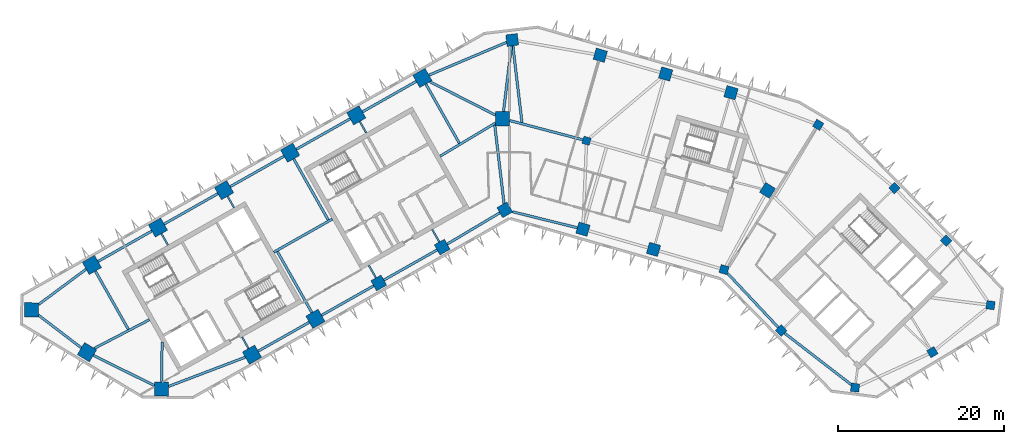
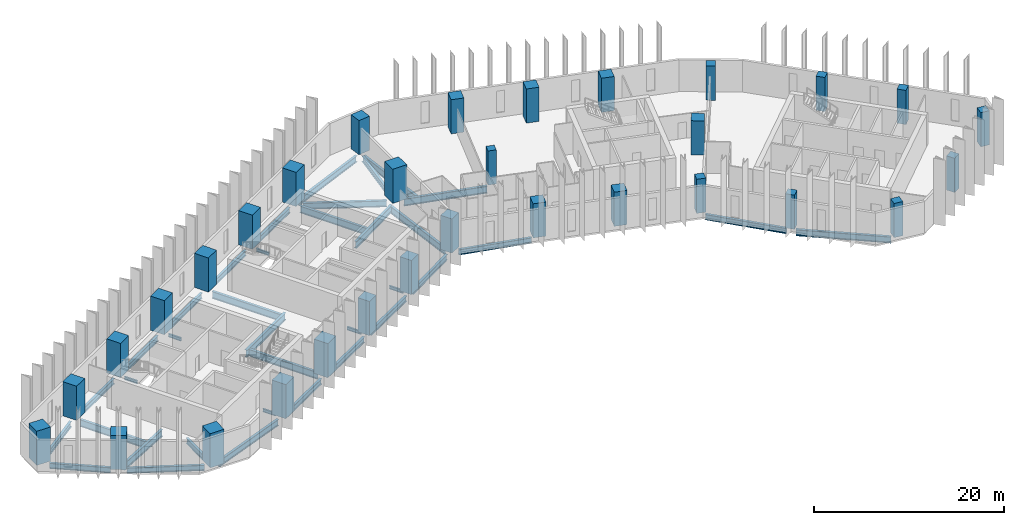
# One storey, part 1 of 11: 36 beams, 31 columns.
"""IFC4 building model written with IfcOpenShell, lengths in metres."""

import ifcopenshell
import ifcopenshell.guid

model = None  # the IFC model being written
_history = None  # IfcOwnerHistory: only IFC2X3 demands one
_inside = {}  # id of a spatial element -> (the spatial element, [elements in it])
_under = {}  # id of a project, library or spatial element -> (it, [spatial elements below it])
_declared = {}  # id of a project -> (the project, [libraries it declares])
_typed = {}  # id of a type object -> (the type object, [elements of that type])
_made_of = {}  # id of a material, layer set ... -> (it, [elements and type objects made of it])


def new_model(schema):
    """Start an empty IFC model of exactly this schema.

    Asked for "IFC4X3", IfcOpenShell would pick the latest addendum, in which some entities
    have other attributes; the version numbers below select the first issue.
    IFC2X3 requires an IfcOwnerHistory on every rooted entity: one is made here for all.
    """
    global model, _history
    if schema == "IFC4X3":
        model = ifcopenshell.file(schema_version=(4, 3, 0, 0))
    else:
        model = ifcopenshell.file(schema=schema)
    _inside.clear()
    _under.clear()
    _declared.clear()
    _typed.clear()
    _made_of.clear()
    _history = None
    if model.schema == "IFC2X3":
        org = make("IfcOrganization", Name="unknown")
        user = make(
            "IfcPersonAndOrganization",
            ThePerson=make("IfcPerson", FamilyName="unknown"),
            TheOrganization=org,
        )
        app = make(
            "IfcApplication",
            ApplicationDeveloper=org,
            Version="unknown",
            ApplicationFullName="unknown",
            ApplicationIdentifier="unknown",
        )
        _history = make(
            "IfcOwnerHistory",
            OwningUser=user,
            OwningApplication=app,
            ChangeAction="ADDED",
            CreationDate=0,
        )
    return model


def make(cls, **values):
    """One entity of the class cls with the attributes given. An attribute that is None is left unset."""
    return model.create_entity(
        cls, **{name: value for name, value in values.items() if value is not None}
    )


def rooted(cls, **values):
    """An entity with a GlobalId (a new one), such as an element, a storey or a relation."""
    return make(cls, GlobalId=ifcopenshell.guid.new(), OwnerHistory=_history, **values)


def si_unit(unit_type, name, prefix=None):
    """IfcSIUnit, for example si_unit("LENGTHUNIT", "METRE", prefix="MILLI")."""
    return make("IfcSIUnit", UnitType=unit_type, Prefix=prefix, Name=name)


def assignment(units):
    """IfcUnitAssignment: the units of a project."""
    return None if units is None else make("IfcUnitAssignment", Units=units)


def point(xyz):
    """IfcCartesianPoint."""
    return None if xyz is None else make("IfcCartesianPoint", Coordinates=xyz)


def direction(xyz):
    """IfcDirection."""
    return None if xyz is None else make("IfcDirection", DirectionRatios=xyz)


def frame(location, z_axis=None, x_axis=None):
    """IfcAxis2Placement3D, a coordinate frame: its origin and axes. An axis left out is left unset."""
    return make(
        "IfcAxis2Placement3D",
        Location=point(location),
        Axis=direction(z_axis),
        RefDirection=direction(x_axis),
    )


def frame_2d(location, x_axis=None):
    """IfcAxis2Placement2D, a coordinate frame in the plane: its origin and x axis."""
    return make(
        "IfcAxis2Placement2D", Location=point(location), RefDirection=direction(x_axis)
    )


def origin():
    """The frame at (0, 0, 0) with its axes left unset."""
    return frame((0.0, 0.0, 0.0))


def origin_2d():
    """The frame at (0, 0) in the plane with its x axis left unset."""
    return frame_2d((0.0, 0.0))


def place(relative_to, where):
    """IfcLocalPlacement: puts the frame where relative to a parent placement (None: the world)."""
    return make(
        "IfcLocalPlacement", PlacementRelTo=relative_to, RelativePlacement=where
    )


def context(
    kind, dimensions, precision=None, world=None, true_north=None, identifier=None
):
    """IfcGeometricRepresentationContext, for example the 3D "Model" context."""
    return make(
        "IfcGeometricRepresentationContext",
        ContextIdentifier=identifier,
        ContextType=kind,
        CoordinateSpaceDimension=dimensions,
        Precision=precision,
        WorldCoordinateSystem=world,
        TrueNorth=true_north,
    )


def subcontext(parent, identifier, kind, view, scale=None):
    """IfcGeometricRepresentationSubContext, for example "Body" below "Model"."""
    return make(
        "IfcGeometricRepresentationSubContext",
        ContextIdentifier=identifier,
        ContextType=kind,
        ParentContext=parent,
        TargetScale=scale,
        TargetView=view,
    )


def project(units=None, contexts=None):
    """IfcProject with its units and contexts."""
    return rooted(
        "IfcProject",
        Name="project",
        RepresentationContexts=contexts,
        UnitsInContext=assignment(units),
    )


def spatial(cls, under=None, at=None, **own):
    """A site, building, storey or space (cls), placed at a placement, below another one or the project."""
    s = rooted(cls, ObjectPlacement=at, **own)
    if under is not None:
        _under.setdefault(under.id(), (under, []))[1].append(s)
    return s


def profile(cls, at=None, kind="AREA", **sizes):
    """A parametric profile (cls). Its sizes go by their IFC names, for example OverallWidth=200.0."""
    return make(cls, ProfileType=kind, Position=at, **sizes)


def rectangle(**sizes):
    """IfcRectangleProfileDef."""
    return profile("IfcRectangleProfileDef", **sizes)


def i_section(**sizes):
    """IfcIShapeProfileDef."""
    return profile("IfcIShapeProfileDef", **sizes)


def extrude(swept, where, along, depth):
    """IfcExtrudedAreaSolid: the profile swept, set in the frame where, extruded along a direction by depth."""
    return make(
        "IfcExtrudedAreaSolid",
        SweptArea=swept,
        Position=where,
        ExtrudedDirection=direction(along),
        Depth=depth,
    )


def shape(context_of_items, identifier, shape_type, items):
    """IfcShapeRepresentation: the items that make up one representation, for example the "Body"."""
    return make(
        "IfcShapeRepresentation",
        ContextOfItems=context_of_items,
        RepresentationIdentifier=identifier,
        RepresentationType=shape_type,
        Items=items,
    )


def material(Name=None, Category=None):
    """IfcMaterial."""
    return make("IfcMaterial", Name=Name, Category=Category)


def material_profile(
    of_material, cross_section, Name=None, Category=None, Priority=None
):
    """IfcMaterialProfile: a cross section and its material."""
    return make(
        "IfcMaterialProfile",
        Name=Name,
        Material=of_material,
        Profile=cross_section,
        Priority=Priority,
        Category=Category,
    )


def profile_set(profiles, Name=None, composite=None):
    """IfcMaterialProfileSet."""
    return make(
        "IfcMaterialProfileSet",
        Name=Name,
        MaterialProfiles=profiles,
        CompositeProfile=composite,
    )


def made_of(thing, what):
    """Note that an element or type object is made of a material, layer set ...; save() writes the relation."""
    if what is not None:
        _made_of.setdefault(what.id(), (what, []))[1].append(thing)
    return thing


def type_object(cls, material=None, **own):
    """A type object (cls), such as IfcWallType, which elements share."""
    return made_of(rooted(cls, **own), material)


def element(
    cls,
    number,
    at=None,
    inside=None,
    cuts=None,
    type_object=None,
    material=None,
    context=None,
    identifier="Body",
    shape_type=None,
    held_by="IfcProductDefinitionShape",
    body=None,
    shapes=None,
    **own,
):
    """One element of the class cls, such as IfcWall. Its Tag is "e" and its number.

    at: its placement. inside: the storey or other place that contains it. cuts: it is an
    opening in that element (IfcRelVoidsElement). A single representation is given by context,
    identifier, shape_type and body (its items); several are given by shapes. held_by: the class
    of the entity that holds the representations. save() writes the other relations.
    """
    e = rooted(cls, Tag="e%d" % number, ObjectPlacement=at, **own)
    if body is not None:
        shapes = [shape(context, identifier, shape_type, body)]
    if shapes is not None:
        e.Representation = make(held_by, Representations=shapes)
    if inside is not None:
        _inside.setdefault(inside.id(), (inside, []))[1].append(e)
    if cuts is not None:
        rooted(
            "IfcRelVoidsElement", RelatingBuildingElement=cuts, RelatedOpeningElement=e
        )
    if type_object is not None:
        _typed.setdefault(type_object.id(), (type_object, []))[1].append(e)
    return made_of(e, material)


def aggregate(whole, parts):
    """IfcRelAggregates: a whole, such as a stair, and the parts it consists of."""
    return rooted("IfcRelAggregates", RelatingObject=whole, RelatedObjects=parts)


def save(model, path):
    """Write the relations noted so far, then the file.

    IfcRelAggregates (storeys below a building ...), IfcRelContainedInSpatialStructure (elements
    in a storey), IfcRelDefinesByType, IfcRelAssociatesMaterial and IfcRelDeclares: one each for
    every whole, place, type object, material and project.
    """
    for whole, parts in _under.values():
        aggregate(whole, parts)
    for where, things in _inside.values():
        rooted(
            "IfcRelContainedInSpatialStructure",
            RelatedElements=things,
            RelatingStructure=where,
        )
    for kind, things in _typed.values():
        rooted("IfcRelDefinesByType", RelatedObjects=things, RelatingType=kind)
    for what, things in _made_of.values():
        rooted("IfcRelAssociatesMaterial", RelatedObjects=things, RelatingMaterial=what)
    for by, libraries in _declared.values():
        rooted("IfcRelDeclares", RelatingContext=by, RelatedDefinitions=libraries)
    model.write(path)


model = new_model("IFC4")

# Units and contexts
model_context = context("Model", 3, precision=1e-05, world=origin(), true_north=direction((0.0, 1.0)))
body_context = subcontext(model_context, "Body", "Model", "MODEL_VIEW")
ifc_project = project(units=[si_unit("LENGTHUNIT", "METRE"), si_unit("AREAUNIT", "SQUARE_METRE"), si_unit("VOLUMEUNIT", "CUBIC_METRE"), si_unit("PLANEANGLEUNIT", "RADIAN"), si_unit("MASSUNIT", "GRAM", prefix="KILO")], contexts=[model_context])

# Site, building, storey
site_placement = place(None, origin())
site = spatial("IfcSite", under=ifc_project, at=site_placement, CompositionType="ELEMENT")
building_placement = place(site_placement, origin())
building = spatial("IfcBuilding", under=site, at=building_placement, Name="Binnacle Exchange Tower", CompositionType="ELEMENT")
storey_placement = place(building_placement, frame((0.0, 0.0, 114.699951171875)))
storey = spatial("IfcBuildingStorey", under=building, at=storey_placement, Name="L23", CompositionType="ELEMENT", Elevation=114.699951171875)

# Columns
ifc_material_1 = material(Name="Concrete C60/75", Category="concrete")
ifc_material_profile_1 = material_profile(ifc_material_1, rectangle(XDim=0.89990234375, YDim=0.89990234375, at=origin_2d()), Name="Column 900x900 C60/75")
ifc_profile_set_1 = profile_set([ifc_material_profile_1], Name="Concrete C60/75")
column_type_1 = type_object("IfcColumnType", Name="Column 900x900 C60/75", PredefinedType="COLUMN", material=ifc_profile_set_1)
column_placement = place(storey_placement, frame((9.240966796875, 57.35009765625, 0.0), z_axis=(0.0, 0.0, 1.0), x_axis=(0.961261695938, -0.275637355817, 0.0)))
element("IfcColumn", 1, at=column_placement, inside=storey, type_object=column_type_1, Name="S:COL:C19:L23", PredefinedType="COLUMN", context=body_context, shape_type="SweptSolid", body=[
    extrude(rectangle(XDim=0.89990234375, YDim=0.89990234375, at=origin_2d()), origin(), (0.0, 0.0, 1.0), 4.400146484375),
])
ifc_material_2 = material(Name="Concrete C70/85", Category="concrete")
ifc_material_profile_2 = material_profile(ifc_material_2, rectangle(XDim=1.0, YDim=1.0, at=origin_2d()), Name="Mega column 1000x1000 C70/85")
ifc_profile_set_2 = profile_set([ifc_material_profile_2], Name="Concrete C70/85")
column_type_2 = type_object("IfcColumnType", Name="Mega column 1000x1000 C70/85", PredefinedType="COLUMN", material=ifc_profile_set_2)
for number, where, z_axis, x_axis, name in (
    (2, (37.0849609375, 59.262451171875, 0.0), (0.0, 0.0, 1.0), (-0.859406411501, 0.511293086077, 0.0), "S:COL:MC57:L23"),
    (3, (25.766845703125, 41.85986328125, 0.0), (0.0, 0.0, 1.0), (0.961261695938, -0.275637355817, 0.0), "S:COL:MC56:L23"),
    (4, (32.64111328125, 34.530029296875, 0.0), (0.0, 0.0, 1.0), (0.7009092643, -0.713250449154, 0.0), "S:COL:MC59:L23"),
    (5, (41.519775390625, 27.6748046875, 0.0), (0.0, 0.0, 1.0), (0.99200494968, -0.126198969136, 0.0), "S:COL:MC61:L23"),
    (6, (50.81201171875, 31.930908203125, 0.0), (0.0, 0.0, 1.0), (0.857167300702, 0.51503807491, 0.0), "S:COL:MC63:L23"),
    (7, (57.799072265625, 37.5810546875, 0.0), (0.0, 0.0, 1.0), (0.126198969136, 0.99200494968, 0.0), "S:COL:MC62:L23"),
    (8, (52.466796875, 45.33935546875, 0.0), (0.0, 0.0, 1.0), (-0.7009092643, 0.713250449154, 0.0), "S:COL:MC60:L23"),
    (9, (46.248291015625, 51.667236328125, 0.0), (0.0, 0.0, 1.0), (-0.7009092643, 0.713250449154, 0.0), "S:COL:MC58:L23"),
):
    element("IfcColumn", number, at=place(storey_placement, frame(where, z_axis=z_axis, x_axis=x_axis)), inside=storey, type_object=column_type_2, Name=name, PredefinedType="COLUMN", context=body_context, shape_type="SweptSolid", body=[
        extrude(rectangle(XDim=1.0, YDim=1.0, at=origin_2d()), origin(), (0.0, 0.0, 1.0), 4.400146484375),
    ])
ifc_material_profile_3 = material_profile(ifc_material_2, rectangle(XDim=1.39990234375, YDim=1.39990234375, at=origin_2d()), Name="Mega column 1400x1400 C70/85")
ifc_profile_set_3 = profile_set([ifc_material_profile_3], Name="Concrete C70/85")
column_type_3 = type_object("IfcColumnType", Name="Mega column 1400x1400 C70/85", PredefinedType="COLUMN", material=ifc_profile_set_3)
for number, where, z_axis, x_axis, name in (
    (10, (26.602783203125, 63.12353515625, 0.0), (0.0, 0.0, 1.0), (-0.961261695938, 0.275637355817, 0.0), "S:COL:MC52:L23"),
    (11, (18.746337890625, 65.376220703125, 0.0), (0.0, 0.0, 1.0), (-0.961261695938, 0.275637355817, 0.0), "S:COL:MC50:L23"),
    (12, (10.889892578125, 67.62890625, 0.0), (0.0, 0.0, 1.0), (-0.961261695938, 0.275637355817, 0.0), "S:COL:MC48:L23"),
    (13, (0.300048828125, 69.464111328125, 0.0), (0.0, 0.0, 1.0), (-0.993068456955, -0.117537397458, 0.0), "S:COL:MC47:L23"),
    (14, (-15.736328125, 40.257080078125, 0.0), (0.0, 0.0, 1.0), (0.87035569594, 0.492423560103, 0.0), "S:COL:MC24:L23"),
    (15, (-8.116943359375, 44.568115234375, 0.0), (0.0, 0.0, 1.0), (0.87035569594, 0.492423560103, 0.0), "S:COL:MC35:L23"),
    (16, (-0.5908203125, 49.04443359375, 0.0), (0.0, 0.0, 1.0), (0.87035569594, 0.492423560103, 0.0), "S:COL:MC46:L23"),
    (17, (8.8095703125, 46.722412109375, 0.0), (0.0, 0.0, 1.0), (0.961261695938, -0.275637355817, 0.0), "S:COL:MC49:L23"),
    (18, (17.2880859375, 44.291015625, 0.0), (0.0, 0.0, 1.0), (0.961261695938, -0.275637355817, 0.0), "S:COL:MC51:L23"),
    (19, (30.989501953125, 51.38623046875, 0.0), (0.0, 0.0, 1.0), (0.529919264233, 0.848048096156, 0.0), "S:COL:MC55:L23"),
):
    element("IfcColumn", number, at=place(storey_placement, frame(where, z_axis=z_axis, x_axis=x_axis)), inside=storey, type_object=column_type_3, Name=name, PredefinedType="COLUMN", context=body_context, shape_type="SweptSolid", body=[
        extrude(rectangle(XDim=1.39990234375, YDim=1.39990234375, at=origin_2d()), origin(), (0.0, 0.0, 1.0), 4.400146484375),
    ])
ifc_material_profile_4 = material_profile(ifc_material_2, rectangle(XDim=1.699951171875, YDim=1.699951171875, at=origin_2d()), Name="Mega column 1700x1700 C70/85")
ifc_profile_set_4 = profile_set([ifc_material_profile_4], Name="Concrete C70/85")
column_type_4 = type_object("IfcColumnType", Name="Mega column 1700x1700 C70/85", PredefinedType="COLUMN", material=ifc_profile_set_4)
for number, where, z_axis, x_axis, name in (
    (20, (-10.4951171875, 64.901611328125, 0.0), (0.0, 0.0, 1.0), (-0.87035569594, -0.492423560103, 0.0), "S:COL:MC38:L23"),
    (21, (-18.44140625, 60.406005859375, 0.0), (0.0, 0.0, 1.0), (-0.87035569594, -0.492423560103, 0.0), "S:COL:MC29:L23"),
    (22, (-26.3876953125, 55.91015625, 0.0), (0.0, 0.0, 1.0), (-0.87035569594, -0.492423560103, 0.0), "S:COL:MC21:L23"),
    (23, (-34.333740234375, 51.414306640625, 0.0), (0.0, 0.0, 1.0), (-0.87035569594, -0.492423560103, 0.0), "S:COL:MC13:L23"),
    (24, (-42.280029296875, 46.918701171875, 0.0), (0.0, 0.0, 1.0), (-0.87035569594, -0.492423560103, 0.0), "S:COL:MC08:L23"),
    (25, (-50.226318359375, 42.4228515625, 0.0), (0.0, 0.0, 1.0), (-0.87035569594, -0.492423560103, 0.0), "S:COL:MC04:L23"),
    (26, (-57.492919921875, 37.02734375, 0.0), (0.0, 0.0, 1.0), (-0.013089595571, -0.999914327574, 0.0), "S:COL:MC02:L23"),
    (27, (-50.81201171875, 31.930908203125, 0.0), (0.0, 0.0, 1.0), (0.857167300702, -0.51503807491, 0.0), "S:COL:MC01:L23"),
    (28, (-41.857666015625, 27.494873046875, 0.0), (0.0, 0.0, 1.0), (0.999914327574, -0.013089595571, 0.0), "S:COL:MC03:L23"),
    (29, (-30.9755859375, 31.63525390625, 0.0), (0.0, 0.0, 1.0), (0.87035569594, 0.492423560103, 0.0), "S:COL:MC07:L23"),
    (30, (-23.35595703125, 35.9462890625, 0.0), (0.0, 0.0, 1.0), (0.87035569594, 0.492423560103, 0.0), "S:COL:MC16:L23"),
    (31, (-0.85009765625, 60.0, 0.0), (0.0, 0.0, 1.0), (0.0, 1.0, 0.0), "S:COL:MC45:L23"),
):
    element("IfcColumn", number, at=place(storey_placement, frame(where, z_axis=z_axis, x_axis=x_axis)), inside=storey, type_object=column_type_4, Name=name, PredefinedType="COLUMN", context=body_context, shape_type="SweptSolid", body=[
        extrude(rectangle(XDim=1.699951171875, YDim=1.699951171875, at=origin_2d()), origin(), (0.0, 0.0, 1.0), 4.400146484375),
    ])

# Beams
ifc_material_3 = material(Name="Steel S355 (SHN355)", Category="steel")
ifc_material_profile_5 = material_profile(ifc_material_3, i_section(OverallWidth=0.300048828125, OverallDepth=0.699951171875, WebThickness=0.012939453125, FlangeThickness=0.02392578125, FilletRadius=0.028076171875, at=origin_2d()), Name="H 700x300x13x24")
ifc_profile_set_5 = profile_set([ifc_material_profile_5], Name="Steel S355 (SHN355)")
beam_type_1 = type_object("IfcBeamType", Name="Edge girder H 700x300x13x24 Steel S355 (SHN355)", PredefinedType="SPANDREL", material=ifc_profile_set_5)
beam_1_placement = place(storey_placement, frame((-56.6513671875, 36.38525390625, -0.669921875), z_axis=(0.795093040263, -0.606487474994, 0.0), x_axis=(0.606487474994, 0.795093040263, 0.0)))
element("IfcBeam", 32, at=beam_1_placement, inside=storey, type_object=beam_type_1, Name="S:BM:edge:L23:015", PredefinedType="SPANDREL", context=body_context, shape_type="SweptSolid", body=[
    extrude(i_section(OverallWidth=0.300048828125, OverallDepth=0.699951171875, WebThickness=0.012939453125, FlangeThickness=0.02392578125, FilletRadius=0.028076171875, at=origin_2d()), origin(), (0.0, 0.0, 1.0), 6.489013671875),
])
beam_2_placement = place(storey_placement, frame((-50.913818359375, 41.912353515625, -0.669921875), z_axis=(-0.80288535334, -0.59613346609, 0.0), x_axis=(0.59613346609, -0.80288535334, 0.0)))
element("IfcBeam", 33, at=beam_2_placement, inside=storey, type_object=beam_type_1, Name="S:BM:edge:L23:016", PredefinedType="SPANDREL", context=body_context, shape_type="SweptSolid", body=[
    extrude(i_section(OverallWidth=0.300048828125, OverallDepth=0.699951171875, WebThickness=0.012939453125, FlangeThickness=0.02392578125, FilletRadius=0.028076171875, at=origin_2d()), origin(), (0.0, 0.0, 1.0), 7.125244140625),
])
beam_3_placement = place(storey_placement, frame((-43.019775390625, 46.5, -0.669921875), z_axis=(-0.870364477798, -0.492408037898, 0.0), x_axis=(0.492408037898, -0.870364477798, 0.0)))
element("IfcBeam", 34, at=beam_3_placement, inside=storey, type_object=beam_type_1, Name="S:BM:edge:L23:018", PredefinedType="SPANDREL", context=body_context, shape_type="SweptSolid", body=[
    extrude(i_section(OverallWidth=0.300048828125, OverallDepth=0.699951171875, WebThickness=0.012939453125, FlangeThickness=0.02392578125, FilletRadius=0.028076171875, at=origin_2d()), origin(), (0.0, 0.0, 1.0), 7.4296875),
])
beam_4_placement = place(storey_placement, frame((-35.073486328125, 50.995849609375, -0.669921875), z_axis=(-0.870372444894, -0.492393955253, 0.0), x_axis=(0.492393955253, -0.870372444894, 0.0)))
element("IfcBeam", 35, at=beam_4_placement, inside=storey, type_object=beam_type_1, Name="S:BM:edge:L23:020", PredefinedType="SPANDREL", context=body_context, shape_type="SweptSolid", body=[
    extrude(i_section(OverallWidth=0.300048828125, OverallDepth=0.699951171875, WebThickness=0.012939453125, FlangeThickness=0.02392578125, FilletRadius=0.028076171875, at=origin_2d()), origin(), (0.0, 0.0, 1.0), 7.429931640625),
])
beam_5_placement = place(storey_placement, frame((-30.23583984375, 32.053955078125, -0.669921875), z_axis=(0.870373276953, 0.492392484473, 0.0), x_axis=(-0.492392484473, 0.870373276953, 0.0)))
element("IfcBeam", 36, at=beam_5_placement, inside=storey, type_object=beam_type_1, Name="S:BM:edge:L23:021", PredefinedType="SPANDREL", context=body_context, shape_type="SweptSolid", body=[
    extrude(i_section(OverallWidth=0.300048828125, OverallDepth=0.699951171875, WebThickness=0.012939453125, FlangeThickness=0.02392578125, FilletRadius=0.028076171875, at=origin_2d()), origin(), (0.0, 0.0, 1.0), 7.0546875),
])
beam_6_placement = place(storey_placement, frame((-27.12744140625, 55.49169921875, -0.669921875), z_axis=(-0.870350394687, -0.492432929919, 0.0), x_axis=(0.492432929919, -0.870350394687, 0.0)))
element("IfcBeam", 37, at=beam_6_placement, inside=storey, type_object=beam_type_1, Name="S:BM:edge:L23:022", PredefinedType="SPANDREL", context=body_context, shape_type="SweptSolid", body=[
    extrude(i_section(OverallWidth=0.300048828125, OverallDepth=0.699951171875, WebThickness=0.012939453125, FlangeThickness=0.02392578125, FilletRadius=0.028076171875, at=origin_2d()), origin(), (0.0, 0.0, 1.0), 7.429931640625),
])
beam_7_placement = place(storey_placement, frame((-22.6162109375, 36.36474609375, -0.669921875), z_axis=(0.870345646157, 0.492441322612, 0.0), x_axis=(-0.492441322612, 0.870345646157, 0.0)))
element("IfcBeam", 38, at=beam_7_placement, inside=storey, type_object=beam_type_1, Name="S:BM:edge:L23:023", PredefinedType="SPANDREL", context=body_context, shape_type="SweptSolid", body=[
    extrude(i_section(OverallWidth=0.300048828125, OverallDepth=0.699951171875, WebThickness=0.012939453125, FlangeThickness=0.02392578125, FilletRadius=0.028076171875, at=origin_2d()), origin(), (0.0, 0.0, 1.0), 7.20458984375),
])
beam_8_placement = place(storey_placement, frame((-19.18115234375, 59.9873046875, -0.669921875), z_axis=(-0.870364477798, -0.492408037898, 0.0), x_axis=(0.492408037898, -0.870364477798, 0.0)))
element("IfcBeam", 39, at=beam_8_placement, inside=storey, type_object=beam_type_1, Name="S:BM:edge:L23:024", PredefinedType="SPANDREL", context=body_context, shape_type="SweptSolid", body=[
    extrude(i_section(OverallWidth=0.300048828125, OverallDepth=0.699951171875, WebThickness=0.012939453125, FlangeThickness=0.02392578125, FilletRadius=0.028076171875, at=origin_2d()), origin(), (0.0, 0.0, 1.0), 7.4296875),
])
beam_9_placement = place(storey_placement, frame((-15.127197265625, 40.601806640625, -0.669921875), z_axis=(0.870355645737, 0.492423648837, 0.0), x_axis=(-0.492423648837, 0.870355645737, 0.0)))
element("IfcBeam", 40, at=beam_9_placement, inside=storey, type_object=beam_type_1, Name="S:BM:edge:L23:025", PredefinedType="SPANDREL", context=body_context, shape_type="SweptSolid", body=[
    extrude(i_section(OverallWidth=0.300048828125, OverallDepth=0.699951171875, WebThickness=0.012939453125, FlangeThickness=0.02392578125, FilletRadius=0.028076171875, at=origin_2d()), origin(), (0.0, 0.0, 1.0), 7.3544921875),
])
beam_10_placement = place(storey_placement, frame((-11.23486328125, 64.483154296875, -0.669921875), z_axis=(-0.870364477798, -0.492408037898, 0.0), x_axis=(0.492408037898, -0.870364477798, 0.0)))
element("IfcBeam", 41, at=beam_10_placement, inside=storey, type_object=beam_type_1, Name="S:BM:edge:L23:026", PredefinedType="SPANDREL", context=body_context, shape_type="SweptSolid", body=[
    extrude(i_section(OverallWidth=0.300048828125, OverallDepth=0.699951171875, WebThickness=0.012939453125, FlangeThickness=0.02392578125, FilletRadius=0.028076171875, at=origin_2d()), origin(), (0.0, 0.0, 1.0), 7.4296875),
])
beam_11_placement = place(storey_placement, frame((-7.51513671875, 44.926025390625, -0.669921875), z_axis=(0.859466137143, 0.511192682952, 0.0), x_axis=(-0.511192682952, 0.859466137143, 0.0)))
element("IfcBeam", 42, at=beam_11_placement, inside=storey, type_object=beam_type_1, Name="S:BM:edge:L23:027", PredefinedType="SPANDREL", context=body_context, shape_type="SweptSolid", body=[
    extrude(i_section(OverallWidth=0.300048828125, OverallDepth=0.699951171875, WebThickness=0.012939453125, FlangeThickness=0.02392578125, FilletRadius=0.028076171875, at=origin_2d()), origin(), (0.0, 0.0, 1.0), 7.356201171875),
])
beam_12_placement = place(storey_placement, frame((0.343994140625, 48.8134765625, -0.669921875), z_axis=(0.970820959584, -0.239805472064, 0.0), x_axis=(0.239805472064, 0.970820959584, 0.0)))
element("IfcBeam", 43, at=beam_12_placement, inside=storey, type_object=beam_type_1, Name="S:BM:edge:L23:029", PredefinedType="SPANDREL", context=body_context, shape_type="SweptSolid", body=[
    extrude(i_section(OverallWidth=0.300048828125, OverallDepth=0.699951171875, WebThickness=0.012939453125, FlangeThickness=0.02392578125, FilletRadius=0.028076171875, at=origin_2d()), origin(), (0.0, 0.0, 1.0), 8.019287109375),
])
ifc_material_profile_6 = material_profile(ifc_material_3, i_section(OverallWidth=0.302001953125, OverallDepth=0.7080078125, WebThickness=0.014892578125, FlangeThickness=0.028076171875, FilletRadius=0.028076171875, at=origin_2d()), Name="H 708x302x15x28")
ifc_profile_set_6 = profile_set([ifc_material_profile_6], Name="Steel S355 (SHN355)")
beam_type_2 = type_object("IfcBeamType", Name="Edge girder H 708x302x15x28 Steel S355 (SHN355)", PredefinedType="SPANDREL", material=ifc_profile_set_6)
beam_13_placement = place(storey_placement, frame((-50.0478515625, 31.55224609375, -0.674072265625), z_axis=(0.896059216286, -0.443934545749, 0.0), x_axis=(0.443934545749, 0.896059216286, 0.0)))
element("IfcBeam", 44, at=beam_13_placement, inside=storey, type_object=beam_type_2, Name="S:BM:edge:L23:017", PredefinedType="SPANDREL", context=body_context, shape_type="SweptSolid", body=[
    extrude(i_section(OverallWidth=0.302001953125, OverallDepth=0.7080078125, WebThickness=0.014892578125, FlangeThickness=0.028076171875, FilletRadius=0.028076171875, at=origin_2d()), origin(), (0.0, 0.0, 1.0), 8.197509765625),
])
beam_14_placement = place(storey_placement, frame((26.165283203125, 41.43505859375, -0.674072265625), z_axis=(0.684076068391, -0.729410674898, 0.0), x_axis=(0.729410674898, 0.684076068391, 0.0)))
element("IfcBeam", 45, at=beam_14_placement, inside=storey, type_object=beam_type_2, Name="S:BM:edge:L23:035", PredefinedType="SPANDREL", context=body_context, shape_type="SweptSolid", body=[
    extrude(i_section(OverallWidth=0.302001953125, OverallDepth=0.7080078125, WebThickness=0.014892578125, FlangeThickness=0.028076171875, FilletRadius=0.028076171875, at=origin_2d()), origin(), (0.0, 0.0, 1.0), 8.966552734375),
])
ifc_material_profile_7 = material_profile(ifc_material_3, i_section(OverallWidth=0.302001953125, OverallDepth=0.80810546875, WebThickness=0.01611328125, FlangeThickness=0.030029296875, FilletRadius=0.028076171875, at=origin_2d()), Name="H 808x302x16x30")
ifc_profile_set_7 = profile_set([ifc_material_profile_7], Name="Steel S355 (SHN355)")
beam_type_3 = type_object("IfcBeamType", Name="Edge girder H 808x302x16x30 Steel S355 (SHN355)", PredefinedType="SPANDREL", material=ifc_profile_set_7)
beam_15_placement = place(storey_placement, frame((-41.00341796875, 27.81982421875, -0.723876953125), z_axis=(0.934628738252, 0.355624973297, 0.0), x_axis=(-0.355624973297, 0.934628738252, 0.0)))
element("IfcBeam", 46, at=beam_15_placement, inside=storey, type_object=beam_type_3, Name="S:BM:edge:L23:019", PredefinedType="SPANDREL", context=body_context, shape_type="SweptSolid", body=[
    extrude(i_section(OverallWidth=0.302001953125, OverallDepth=0.80810546875, WebThickness=0.01611328125, FlangeThickness=0.030029296875, FilletRadius=0.028076171875, at=origin_2d()), origin(), (0.0, 0.0, 1.0), 9.869384765625),
])
beam_16_placement = place(storey_placement, frame((-0.37109375, 69.180419921875, -0.723876953125), z_axis=(-0.921114465748, -0.389291845523, 0.0), x_axis=(0.389291845523, -0.921114465748, 0.0)))
element("IfcBeam", 47, at=beam_16_placement, inside=storey, type_object=beam_type_3, Name="S:BM:edge:L23:028", PredefinedType="SPANDREL", context=body_context, shape_type="SweptSolid", body=[
    extrude(i_section(OverallWidth=0.302001953125, OverallDepth=0.80810546875, WebThickness=0.01611328125, FlangeThickness=0.030029296875, FilletRadius=0.028076171875, at=origin_2d()), origin(), (0.0, 0.0, 1.0), 10.13525390625),
])
beam_17_placement = place(storey_placement, frame((33.040771484375, 34.2216796875, -0.723876953125), z_axis=(0.791519159984, -0.611144352324, 0.0), x_axis=(0.611144352324, 0.791519159984, 0.0)))
element("IfcBeam", 48, at=beam_17_placement, inside=storey, type_object=beam_type_3, Name="S:BM:edge:L23:036", PredefinedType="SPANDREL", context=body_context, shape_type="SweptSolid", body=[
    extrude(i_section(OverallWidth=0.302001953125, OverallDepth=0.80810546875, WebThickness=0.01611328125, FlangeThickness=0.030029296875, FilletRadius=0.028076171875, at=origin_2d()), origin(), (0.0, 0.0, 1.0), 10.13232421875),
])
ifc_material_profile_8 = material_profile(ifc_material_3, i_section(OverallWidth=0.199951171875, OverallDepth=0.39990234375, WebThickness=0.008056640625, FlangeThickness=0.012939453125, FilletRadius=0.01611328125, at=origin_2d()), Name="H 400x200x8x13")
ifc_profile_set_8 = profile_set([ifc_material_profile_8], Name="Steel S355 (SHN355)")
beam_type_4 = type_object("IfcBeamType", Name="Floor beam H 400x200x8x13 Steel S355 (SHN355)", PredefinedType="BEAM", material=ifc_profile_set_8)
beam_18_placement = place(storey_placement, frame((-41.861328125, 46.178955078125, -0.52001953125), z_axis=(0.492366981934, -0.870387703901, 0.0), x_axis=(0.870387703901, 0.492366981934, 0.0)))
element("IfcBeam", 49, at=beam_18_placement, inside=storey, type_object=beam_type_4, Name="S:BM:cross:L23:044", PredefinedType="BEAM", context=body_context, shape_type="SweptSolid", body=[
    extrude(i_section(OverallWidth=0.199951171875, OverallDepth=0.39990234375, WebThickness=0.008056640625, FlangeThickness=0.012939453125, FilletRadius=0.01611328125, at=origin_2d()), origin(), (0.0, 0.0, 1.0), 1.584228515625),
])
beam_19_placement = place(storey_placement, frame((-33.915283203125, 50.674560546875, -0.52001953125), z_axis=(0.492483715062, -0.870321659158, 0.0), x_axis=(0.870321659158, 0.492483715062, 0.0)))
element("IfcBeam", 50, at=beam_19_placement, inside=storey, type_object=beam_type_4, Name="S:BM:cross:L23:046", PredefinedType="BEAM", context=body_context, shape_type="SweptSolid", body=[
    extrude(i_section(OverallWidth=0.199951171875, OverallDepth=0.39990234375, WebThickness=0.008056640625, FlangeThickness=0.012939453125, FilletRadius=0.01611328125, at=origin_2d()), origin(), (0.0, 0.0, 1.0), 1.58447265625),
])
for number, where, z_axis, x_axis, name in (
    (51, (-31.394287109375, 32.375, -0.52001953125), (-0.492366981934, 0.870387703901, 0.0), (-0.870387703901, -0.492366981934, 0.0), "S:BM:cross:L23:047"),
    (52, (-18.022705078125, 59.666259765625, -0.52001953125), (0.492366981934, -0.870387703901, 0.0), (0.870387703901, 0.492366981934, 0.0), "S:BM:cross:L23:050"),
):
    element("IfcBeam", number, at=place(storey_placement, frame(where, z_axis=z_axis, x_axis=x_axis)), inside=storey, type_object=beam_type_4, Name=name, PredefinedType="BEAM", context=body_context, shape_type="SweptSolid", body=[
        extrude(i_section(OverallWidth=0.199951171875, OverallDepth=0.39990234375, WebThickness=0.008056640625, FlangeThickness=0.012939453125, FilletRadius=0.01611328125, at=origin_2d()), origin(), (0.0, 0.0, 1.0), 1.584228515625),
    ])
for number, where, z_axis, x_axis, name in (
    (53, (-16.0810546875, 40.866455078125, -0.52001953125), (-0.492405102951, 0.870366138236, 0.0), (-0.870366138236, -0.492405102951, 0.0), "S:BM:cross:L23:051"),
    (54, (-8.461669921875, 45.17724609375, -0.52001953125), (-0.492405102951, 0.870366138236, 0.0), (-0.870366138236, -0.492405102951, 0.0), "S:BM:cross:L23:053"),
):
    element("IfcBeam", number, at=place(storey_placement, frame(where, z_axis=z_axis, x_axis=x_axis)), inside=storey, type_object=beam_type_4, Name=name, PredefinedType="BEAM", context=body_context, shape_type="SweptSolid", body=[
        extrude(i_section(OverallWidth=0.199951171875, OverallDepth=0.39990234375, WebThickness=0.008056640625, FlangeThickness=0.012939453125, FilletRadius=0.01611328125, at=origin_2d()), origin(), (0.0, 0.0, 1.0), 1.734375),
    ])
ifc_material_profile_9 = material_profile(ifc_material_3, i_section(OverallWidth=0.300048828125, OverallDepth=0.699951171875, WebThickness=0.012939453125, FlangeThickness=0.02392578125, FilletRadius=0.028076171875, at=origin_2d()), Name="H 700x300x13x24")
ifc_profile_set_9 = profile_set([ifc_material_profile_9], Name="Steel S355 (SHN355)")
beam_type_5 = type_object("IfcBeamType", Name="Floor beam H 700x300x13x24 Steel S355 (SHN355)", PredefinedType="BEAM", material=ifc_profile_set_9)
beam_20_placement = place(storey_placement, frame((-41.8466796875, 28.3447265625, -0.669921875), z_axis=(0.013120628196, 0.999913920853, 0.0), x_axis=(-0.999913920853, 0.013120628196, 0.0)))
element("IfcBeam", 55, at=beam_20_placement, inside=storey, type_object=beam_type_5, Name="S:BM:cross:L23:045", PredefinedType="BEAM", context=body_context, shape_type="SweptSolid", body=[
    extrude(i_section(OverallWidth=0.300048828125, OverallDepth=0.699951171875, WebThickness=0.012939453125, FlangeThickness=0.02392578125, FilletRadius=0.028076171875, at=origin_2d()), origin(), (0.0, 0.0, 1.0), 4.80078125),
])
ifc_material_profile_10 = material_profile(ifc_material_3, i_section(OverallWidth=0.300048828125, OverallDepth=0.89990234375, WebThickness=0.01611328125, FlangeThickness=0.028076171875, FilletRadius=0.028076171875, at=origin_2d()), Name="H 900x300x16x28")
ifc_profile_set_10 = profile_set([ifc_material_profile_10], Name="Steel S355 (SHN355)")
beam_type_6 = type_object("IfcBeamType", Name="Floor beam H 900x300x16x28 Steel S355 (SHN355)", PredefinedType="BEAM", material=ifc_profile_set_10)
beam_21_placement = place(storey_placement, frame((-49.8076171875, 41.68310546875, -0.77001953125), z_axis=(0.492423370769, -0.87035580306, 0.0), x_axis=(0.87035580306, 0.492423370769, 0.0)))
element("IfcBeam", 56, at=beam_21_placement, inside=storey, type_object=beam_type_6, Name="S:BM:cross:L23:043", PredefinedType="BEAM", context=body_context, shape_type="SweptSolid", body=[
    extrude(i_section(OverallWidth=0.300048828125, OverallDepth=0.89990234375, WebThickness=0.01611328125, FlangeThickness=0.028076171875, FilletRadius=0.028076171875, at=origin_2d()), origin(), (0.0, 0.0, 1.0), 8.041259765625),
])
beam_22_placement = place(storey_placement, frame((-10.076416015625, 64.161865234375, -0.77001953125), z_axis=(0.492410737926, -0.870362950254, 0.0), x_axis=(0.870362950254, 0.492410737926, 0.0)))
element("IfcBeam", 57, at=beam_22_placement, inside=storey, type_object=beam_type_6, Name="S:BM:cross:L23:052", PredefinedType="BEAM", context=body_context, shape_type="SweptSolid", body=[
    extrude(i_section(OverallWidth=0.300048828125, OverallDepth=0.89990234375, WebThickness=0.01611328125, FlangeThickness=0.028076171875, FilletRadius=0.028076171875, at=origin_2d()), origin(), (0.0, 0.0, 1.0), 8.16943359375),
])
ifc_material_profile_11 = material_profile(ifc_material_3, i_section(OverallWidth=0.302001953125, OverallDepth=0.912109375, WebThickness=0.01806640625, FlangeThickness=0.033935546875, FilletRadius=0.028076171875, at=origin_2d()), Name="H 912x302x18x34")
ifc_profile_set_11 = profile_set([ifc_material_profile_11], Name="Steel S355 (SHN355)")
beam_type_7 = type_object("IfcBeamType", Name="Floor beam H 912x302x18x34 Steel S355 (SHN355)", PredefinedType="BEAM", material=ifc_profile_set_11)
for number, where, z_axis, x_axis, name in (
    (58, (-25.968994140625, 55.17041015625, -0.77587890625), (0.492409177884, -0.870363832851, 0.0), (0.870363832851, 0.492409177884, 0.0), "S:BM:cross:L23:048"),
    (59, (-23.774658203125, 36.68603515625, -0.77587890625), (-0.492409177884, 0.870363832851, 0.0), (-0.870363832851, -0.492409177884, 0.0), "S:BM:cross:L23:049"),
):
    element("IfcBeam", number, at=place(storey_placement, frame(where, z_axis=z_axis, x_axis=x_axis)), inside=storey, type_object=beam_type_7, Name=name, PredefinedType="BEAM", context=body_context, shape_type="SweptSolid", body=[
        extrude(i_section(OverallWidth=0.302001953125, OverallDepth=0.912109375, WebThickness=0.01806640625, FlangeThickness=0.033935546875, FilletRadius=0.028076171875, at=origin_2d()), origin(), (0.0, 0.0, 1.0), 8.43408203125),
    ])
ifc_material_profile_12 = material_profile(ifc_material_3, i_section(OverallWidth=0.302978515625, OverallDepth=0.91796875, WebThickness=0.01904296875, FlangeThickness=0.037109375, FilletRadius=0.028076171875, at=origin_2d()), Name="H 918x303x19x37")
ifc_profile_set_12 = profile_set([ifc_material_profile_12], Name="Steel S355 (SHN355)")
beam_type_8 = type_object("IfcBeamType", Name="Floor beam H 918x303x19x37 Steel S355 (SHN355)", PredefinedType="BEAM", material=ifc_profile_set_12)
beam_23_placement = place(storey_placement, frame((-0.68017578125, 49.79833984375, -0.779052734375), z_axis=(-0.11752294526, 0.993070167379, 0.0), x_axis=(-0.993070167379, -0.11752294526, 0.0)))
element("IfcBeam", 60, at=beam_23_placement, inside=storey, type_object=beam_type_8, Name="S:BM:cross:L23:054", PredefinedType="BEAM", context=body_context, shape_type="SweptSolid", body=[
    extrude(i_section(OverallWidth=0.302978515625, OverallDepth=0.91796875, WebThickness=0.01904296875, FlangeThickness=0.037109375, FilletRadius=0.028076171875, at=origin_2d()), origin(), (0.0, 0.0, 1.0), 9.537353515625),
])
beam_24_placement = place(storey_placement, frame((0.38232421875, 68.76904296875, -0.779052734375), z_axis=(0.117557103339, -0.993066124412, 0.0), x_axis=(0.993066124412, 0.117557103339, 0.0)))
element("IfcBeam", 61, at=beam_24_placement, inside=storey, type_object=beam_type_8, Name="S:BM:cross:L23:055", PredefinedType="BEAM", context=body_context, shape_type="SweptSolid", body=[
    extrude(i_section(OverallWidth=0.302978515625, OverallDepth=0.91796875, WebThickness=0.01904296875, FlangeThickness=0.037109375, FilletRadius=0.028076171875, at=origin_2d()), origin(), (0.0, 0.0, 1.0), 9.2998046875),
])
ifc_material_profile_13 = material_profile(ifc_material_3, i_section(OverallWidth=0.302001953125, OverallDepth=0.7080078125, WebThickness=0.014892578125, FlangeThickness=0.028076171875, FilletRadius=0.028076171875, at=origin_2d()), Name="H 708x302x15x28")
ifc_profile_set_13 = profile_set([ifc_material_profile_13], Name="Steel S355 (SHN355)")
beam_type_9 = type_object("IfcBeamType", Name="Spine girder H 708x302x15x28 Steel S355 (SHN355)", PredefinedType="BEAM", material=ifc_profile_set_13)
beam_25_placement = place(storey_placement, frame((-0.74658203125, 60.85009765625, -0.674072265625), z_axis=(0.120612669289, 0.992699644408, 0.0), x_axis=(-0.992699644408, 0.120612669289, 0.0)))
element("IfcBeam", 62, at=beam_25_placement, inside=storey, type_object=beam_type_9, Name="S:BM:spine:L23:005", PredefinedType="BEAM", context=body_context, shape_type="SweptSolid", body=[
    extrude(i_section(OverallWidth=0.302001953125, OverallDepth=0.7080078125, WebThickness=0.014892578125, FlangeThickness=0.028076171875, FilletRadius=0.028076171875, at=origin_2d()), origin(), (0.0, 0.0, 1.0), 7.95703125),
])
ifc_material_profile_14 = material_profile(ifc_material_3, i_section(OverallWidth=0.302001953125, OverallDepth=0.80810546875, WebThickness=0.01611328125, FlangeThickness=0.030029296875, FilletRadius=0.028076171875, at=origin_2d()), Name="H 808x302x16x30")
ifc_profile_set_14 = profile_set([ifc_material_profile_14], Name="Steel S355 (SHN355)")
beam_type_10 = type_object("IfcBeamType", Name="Spine girder H 808x302x16x30 Steel S355 (SHN355)", PredefinedType="BEAM", material=ifc_profile_set_14)
beam_26_placement = place(storey_placement, frame((-1.699951171875, 60.431884765625, -0.723876953125), z_axis=(-0.891471296315, 0.45307717648, 0.0), x_axis=(-0.45307717648, -0.891471296315, 0.0)))
element("IfcBeam", 63, at=beam_26_placement, inside=storey, type_object=beam_type_10, Name="S:BM:spine:L23:004", PredefinedType="BEAM", context=body_context, shape_type="SweptSolid", body=[
    extrude(i_section(OverallWidth=0.302001953125, OverallDepth=0.80810546875, WebThickness=0.01611328125, FlangeThickness=0.030029296875, FilletRadius=0.028076171875, at=origin_2d()), origin(), (0.0, 0.0, 1.0), 8.845703125),
])
ifc_material_profile_15 = material_profile(ifc_material_3, i_section(OverallWidth=0.300048828125, OverallDepth=0.89990234375, WebThickness=0.01611328125, FlangeThickness=0.028076171875, FilletRadius=0.028076171875, at=origin_2d()), Name="H 900x300x16x28")
ifc_profile_set_15 = profile_set([ifc_material_profile_15], Name="Steel S355 (SHN355)")
beam_type_11 = type_object("IfcBeamType", Name="Spine girder H 900x300x16x28 Steel S355 (SHN355)", PredefinedType="BEAM", material=ifc_profile_set_15)
beam_27_placement = place(storey_placement, frame((-49.927734375, 32.391357421875, -0.77001953125), z_axis=(0.886979965344, 0.461807904954, 0.0), x_axis=(-0.461807904954, 0.886979965344, 0.0)))
element("IfcBeam", 64, at=beam_27_placement, inside=storey, type_object=beam_type_11, Name="S:BM:spine:L23:001", PredefinedType="BEAM", context=body_context, shape_type="SweptSolid", body=[
    extrude(i_section(OverallWidth=0.300048828125, OverallDepth=0.89990234375, WebThickness=0.01611328125, FlangeThickness=0.028076171875, FilletRadius=0.028076171875, at=origin_2d()), origin(), (0.0, 0.0, 1.0), 7.463623046875),
])
beam_28_placement = place(storey_placement, frame((-8.36328125, 55.489990234375, -0.77001953125), z_axis=(0.857393122678, 0.514662057261, 0.0), x_axis=(-0.514662057261, 0.857393122678, 0.0)))
element("IfcBeam", 65, at=beam_28_placement, inside=storey, type_object=beam_type_11, Name="S:BM:spine:L23:003", PredefinedType="BEAM", context=body_context, shape_type="SweptSolid", body=[
    extrude(i_section(OverallWidth=0.300048828125, OverallDepth=0.89990234375, WebThickness=0.01611328125, FlangeThickness=0.028076171875, FilletRadius=0.028076171875, at=origin_2d()), origin(), (0.0, 0.0, 1.0), 7.771728515625),
])
ifc_material_profile_16 = material_profile(ifc_material_3, i_section(OverallWidth=0.302001953125, OverallDepth=0.912109375, WebThickness=0.01806640625, FlangeThickness=0.033935546875, FilletRadius=0.028076171875, at=origin_2d()), Name="H 912x302x18x34")
ifc_profile_set_16 = profile_set([ifc_material_profile_16], Name="Steel S355 (SHN355)")
beam_type_12 = type_object("IfcBeamType", Name="Spine girder H 912x302x18x34 Steel S355 (SHN355)", PredefinedType="BEAM", material=ifc_profile_set_16)
beam_29_placement = place(storey_placement, frame((-28.365478515625, 43.951416015625, -0.77587890625), z_axis=(0.870350319004, 0.492433063684, 0.0), x_axis=(-0.492433063684, 0.870350319004, 0.0)))
element("IfcBeam", 66, at=beam_29_placement, inside=storey, type_object=beam_type_12, Name="S:BM:spine:L23:002", PredefinedType="BEAM", context=body_context, shape_type="SweptSolid", body=[
    extrude(i_section(OverallWidth=0.302001953125, OverallDepth=0.912109375, WebThickness=0.01806640625, FlangeThickness=0.033935546875, FilletRadius=0.028076171875, at=origin_2d()), origin(), (0.0, 0.0, 1.0), 8.0908203125),
])
ifc_material_profile_17 = material_profile(ifc_material_3, i_section(OverallWidth=0.302978515625, OverallDepth=0.91796875, WebThickness=0.01904296875, FlangeThickness=0.037109375, FilletRadius=0.028076171875, at=origin_2d()), Name="H 918x303x19x37")
ifc_profile_set_17 = profile_set([ifc_material_profile_17], Name="Steel S355 (SHN355)")
beam_type_13 = type_object("IfcBeamType", Name="Spine girder H 918x303x19x37 Steel S355 (SHN355)", PredefinedType="BEAM", material=ifc_profile_set_17)
beam_30_placement = place(storey_placement, frame((0.0, 59.77685546875, -0.779052734375), z_axis=(0.967208488002, -0.253983741089, 0.0), x_axis=(0.253983741089, 0.967208488002, 0.0)))
element("IfcBeam", 67, at=beam_30_placement, inside=storey, type_object=beam_type_13, Name="S:BM:spine:L23:006", PredefinedType="BEAM", context=body_context, shape_type="SweptSolid", body=[
    extrude(i_section(OverallWidth=0.302978515625, OverallDepth=0.91796875, WebThickness=0.01904296875, FlangeThickness=0.037109375, FilletRadius=0.028076171875, at=origin_2d()), origin(), (0.0, 0.0, 1.0), 9.10400390625),
])

save(model, "model.ifc")
